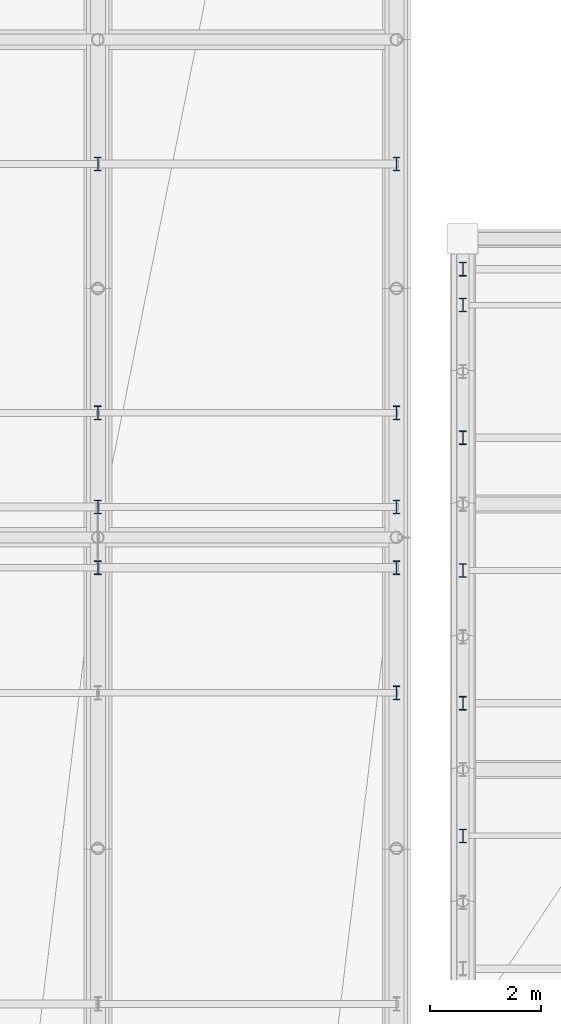
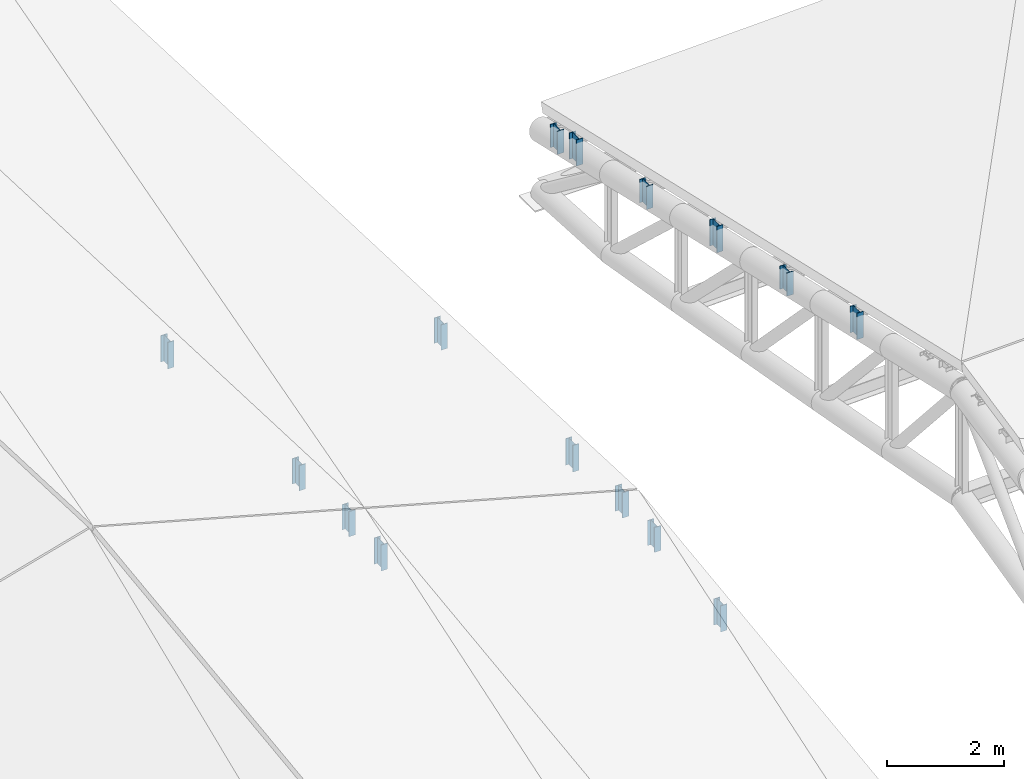
# One storey, part 88 of 109: 15 members.
"""IFC4 building model written with IfcOpenShell, lengths in metres."""

from ifc_helpers import new_model, si_unit, direction, frame, origin, origin_2d, place, context, subcontext, project, spatial, i_section, extrude, material, material_profile, profile_set, type_object, element, save


model = new_model("IFC4")

# Units and contexts
model_context = context("Model", 3, precision=1e-05, world=origin(), true_north=direction((0.0, 1.0)))
body_context = subcontext(model_context, "Body", "Model", "MODEL_VIEW")
ifc_project = project(units=[si_unit("LENGTHUNIT", "METRE"), si_unit("AREAUNIT", "SQUARE_METRE"), si_unit("VOLUMEUNIT", "CUBIC_METRE"), si_unit("PLANEANGLEUNIT", "RADIAN"), si_unit("MASSUNIT", "GRAM", prefix="KILO")], contexts=[model_context])

# Site, building, storey
site_placement = place(None, origin())
site = spatial("IfcSite", under=ifc_project, at=site_placement, CompositionType="ELEMENT")
building_placement = place(site_placement, origin())
building = spatial("IfcBuilding", under=site, at=building_placement, Name="Suirenkawa Promenade Aquatics Centre", CompositionType="ELEMENT")
storey_placement = place(building_placement, frame((0.0, 0.0, 22.800048828125)))
storey = spatial("IfcBuildingStorey", under=building, at=storey_placement, Name="ROOF", CompositionType="ELEMENT", Elevation=22.800048828125)

# Members
ifc_material = material(Name="Steel IS 2062 E350 (Grade 350)", Category="steel")
ifc_material_profile = material_profile(ifc_material, i_section(OverallWidth=0.125, OverallDepth=0.25, WebThickness=0.007080078125, FlangeThickness=0.012939453125, at=origin_2d()), Name="ISMB 250", Category="steel")
ifc_profile_set = profile_set([ifc_material_profile], Name="Steel IS 2062 E350 (Grade 350)")
member_type = type_object("IfcMemberType", Name="MT-WEB-CHS168", PredefinedType="BRACE", material=ifc_profile_set)
member_1_placement = place(storey_placement, frame((149.39990234375, 94.85009765625, -7.990966796875), z_axis=(0.0, 0.0, 1.0), x_axis=(1.0, 0.0, 0.0)))
element("IfcMember", 1, at=member_1_placement, inside=storey, type_object=member_type, Name="ROOF TRUSS Purlin cleat post TD-03 MB-2354", PredefinedType="BRACE", context=body_context, shape_type="SweptSolid", body=[
    extrude(i_section(OverallWidth=0.125, OverallDepth=0.25, WebThickness=0.007080078125, FlangeThickness=0.012939453125, at=origin_2d()), origin(), (0.0, 0.0, 1.0), 0.5458984375),
])
member_2_placement = place(storey_placement, frame((149.39990234375, 95.949951171875, -7.942138671875), z_axis=(0.0, 0.0, 1.0), x_axis=(1.0, 0.0, 0.0)))
element("IfcMember", 2, at=member_2_placement, inside=storey, type_object=member_type, Name="ROOF TRUSS Purlin cleat post TD-03 MB-2356", PredefinedType="BRACE", context=body_context, shape_type="SweptSolid", body=[
    extrude(i_section(OverallWidth=0.125, OverallDepth=0.25, WebThickness=0.007080078125, FlangeThickness=0.012939453125, at=origin_2d()), origin(), (0.0, 0.0, 1.0), 0.527099609375),
])
member_3_placement = place(storey_placement, frame((149.39990234375, 97.64990234375, -8.011962890625), z_axis=(0.0, 0.0, 1.0), x_axis=(1.0, 0.0, 0.0)))
element("IfcMember", 3, at=member_3_placement, inside=storey, type_object=member_type, Name="ROOF TRUSS Purlin cleat post TD-03 MB-2358", PredefinedType="BRACE", context=body_context, shape_type="SweptSolid", body=[
    extrude(i_section(OverallWidth=0.125, OverallDepth=0.25, WebThickness=0.007080078125, FlangeThickness=0.012939453125, at=origin_2d()), origin(), (0.0, 0.0, 1.0), 0.52880859375),
])
member_4_placement = place(storey_placement, frame((149.39990234375, 102.14990234375, -8.195068359375), z_axis=(0.0, 0.0, 1.0), x_axis=(1.0, 0.0, 0.0)))
element("IfcMember", 4, at=member_4_placement, inside=storey, type_object=member_type, Name="ROOF TRUSS Purlin cleat post TD-03 MB-2360", PredefinedType="BRACE", context=body_context, shape_type="SweptSolid", body=[
    extrude(i_section(OverallWidth=0.125, OverallDepth=0.25, WebThickness=0.007080078125, FlangeThickness=0.012939453125, at=origin_2d()), origin(), (0.0, 0.0, 1.0), 0.552978515625),
])
member_5_placement = place(storey_placement, frame((154.800048828125, 92.587890625, -9.781982421875), z_axis=(0.0, 0.0, 1.0), x_axis=(1.0, 0.0, 0.0)))
element("IfcMember", 5, at=member_5_placement, inside=storey, type_object=member_type, Name="ROOF TRUSS Purlin cleat post TD-03 MB-2388", PredefinedType="BRACE", context=body_context, shape_type="SweptSolid", body=[
    extrude(i_section(OverallWidth=0.125, OverallDepth=0.25, WebThickness=0.007080078125, FlangeThickness=0.012939453125, at=origin_2d()), origin(), (0.0, 0.0, 1.0), 0.5458984375),
])
member_6_placement = place(storey_placement, frame((154.800048828125, 94.85009765625, -9.490966796875), z_axis=(0.0, 0.0, 1.0), x_axis=(1.0, 0.0, 0.0)))
element("IfcMember", 6, at=member_6_placement, inside=storey, type_object=member_type, Name="ROOF TRUSS Purlin cleat post TD-03 MB-2390", PredefinedType="BRACE", context=body_context, shape_type="SweptSolid", body=[
    extrude(i_section(OverallWidth=0.125, OverallDepth=0.25, WebThickness=0.007080078125, FlangeThickness=0.012939453125, at=origin_2d()), origin(), (0.0, 0.0, 1.0), 0.52001953125),
])
member_7_placement = place(storey_placement, frame((154.800048828125, 95.949951171875, -9.442138671875), z_axis=(0.0, 0.0, 1.0), x_axis=(1.0, 0.0, 0.0)))
element("IfcMember", 7, at=member_7_placement, inside=storey, type_object=member_type, Name="ROOF TRUSS Purlin cleat post TD-03 MB-2392", PredefinedType="BRACE", context=body_context, shape_type="SweptSolid", body=[
    extrude(i_section(OverallWidth=0.125, OverallDepth=0.25, WebThickness=0.007080078125, FlangeThickness=0.012939453125, at=origin_2d()), origin(), (0.0, 0.0, 1.0), 0.528076171875),
])
member_8_placement = place(storey_placement, frame((154.800048828125, 97.64990234375, -9.511962890625), z_axis=(0.0, 0.0, 1.0), x_axis=(1.0, 0.0, 0.0)))
element("IfcMember", 8, at=member_8_placement, inside=storey, type_object=member_type, Name="ROOF TRUSS Purlin cleat post TD-03 MB-2394", PredefinedType="BRACE", context=body_context, shape_type="SweptSolid", body=[
    extrude(i_section(OverallWidth=0.125, OverallDepth=0.25, WebThickness=0.007080078125, FlangeThickness=0.012939453125, at=origin_2d()), origin(), (0.0, 0.0, 1.0), 0.553955078125),
])
member_9_placement = place(storey_placement, frame((154.800048828125, 102.14990234375, -9.695068359375), z_axis=(0.0, 0.0, 1.0), x_axis=(1.0, 0.0, 0.0)))
element("IfcMember", 9, at=member_9_placement, inside=storey, type_object=member_type, Name="ROOF TRUSS Purlin cleat post TD-03 MB-2396", PredefinedType="BRACE", context=body_context, shape_type="SweptSolid", body=[
    extrude(i_section(OverallWidth=0.125, OverallDepth=0.25, WebThickness=0.007080078125, FlangeThickness=0.012939453125, at=origin_2d()), origin(), (0.0, 0.0, 1.0), 0.528076171875),
])
member_10_placement = place(storey_placement, frame((156.0, 90.0, -2.525146484375), z_axis=(0.0, 0.0, 1.0), x_axis=(1.0, 0.0, 0.0)))
element("IfcMember", 10, at=member_10_placement, inside=storey, type_object=member_type, Name="ROOF TRUSS Purlin cleat post TD-03 MB-2456", PredefinedType="BRACE", context=body_context, shape_type="SweptSolid", body=[
    extrude(i_section(OverallWidth=0.125, OverallDepth=0.25, WebThickness=0.007080078125, FlangeThickness=0.012939453125, at=origin_2d()), origin(), (0.0, 0.0, 1.0), 0.549072265625),
])
member_11_placement = place(storey_placement, frame((156.0, 92.39990234375, -3.074951171875), z_axis=(0.0, 0.0, 1.0), x_axis=(1.0, 0.0, 0.0)))
element("IfcMember", 11, at=member_11_placement, inside=storey, type_object=member_type, Name="ROOF TRUSS Purlin cleat post TD-03 MB-2459", PredefinedType="BRACE", context=body_context, shape_type="SweptSolid", body=[
    extrude(i_section(OverallWidth=0.125, OverallDepth=0.25, WebThickness=0.007080078125, FlangeThickness=0.012939453125, at=origin_2d()), origin(), (0.0, 0.0, 1.0), 0.48388671875),
])
member_12_placement = place(storey_placement, frame((156.0, 94.800048828125, -3.625), z_axis=(0.0, 0.0, 1.0), x_axis=(1.0, 0.0, 0.0)))
element("IfcMember", 12, at=member_12_placement, inside=storey, type_object=member_type, Name="ROOF TRUSS Purlin cleat post TD-03 MB-2462", PredefinedType="BRACE", context=body_context, shape_type="SweptSolid", body=[
    extrude(i_section(OverallWidth=0.125, OverallDepth=0.25, WebThickness=0.007080078125, FlangeThickness=0.012939453125, at=origin_2d()), origin(), (0.0, 0.0, 1.0), 0.549072265625),
])
member_13_placement = place(storey_placement, frame((156.0, 97.199951171875, -4.175048828125), z_axis=(0.0, 0.0, 1.0), x_axis=(1.0, 0.0, 0.0)))
element("IfcMember", 13, at=member_13_placement, inside=storey, type_object=member_type, Name="ROOF TRUSS Purlin cleat post TD-03 MB-2465", PredefinedType="BRACE", context=body_context, shape_type="SweptSolid", body=[
    extrude(i_section(OverallWidth=0.125, OverallDepth=0.25, WebThickness=0.007080078125, FlangeThickness=0.012939453125, at=origin_2d()), origin(), (0.0, 0.0, 1.0), 0.48388671875),
])
member_14_placement = place(storey_placement, frame((156.0, 99.60009765625, -4.72509765625), z_axis=(0.0, 0.0, 1.0), x_axis=(1.0, 0.0, 0.0)))
element("IfcMember", 14, at=member_14_placement, inside=storey, type_object=member_type, Name="ROOF TRUSS Purlin cleat post TD-03 MB-2468", PredefinedType="BRACE", context=body_context, shape_type="SweptSolid", body=[
    extrude(i_section(OverallWidth=0.125, OverallDepth=0.25, WebThickness=0.007080078125, FlangeThickness=0.012939453125, at=origin_2d()), origin(), (0.0, 0.0, 1.0), 0.549072265625),
])
member_15_placement = place(storey_placement, frame((156.0, 100.25, -4.8740234375), z_axis=(0.0, 0.0, 1.0), x_axis=(1.0, 0.0, 0.0)))
element("IfcMember", 15, at=member_15_placement, inside=storey, type_object=member_type, Name="ROOF TRUSS Purlin cleat post TD-03 MB-2471", PredefinedType="BRACE", context=body_context, shape_type="SweptSolid", body=[
    extrude(i_section(OverallWidth=0.125, OverallDepth=0.25, WebThickness=0.007080078125, FlangeThickness=0.012939453125, at=origin_2d()), origin(), (0.0, 0.0, 1.0), 0.48388671875),
])

save(model, "model.ifc")
